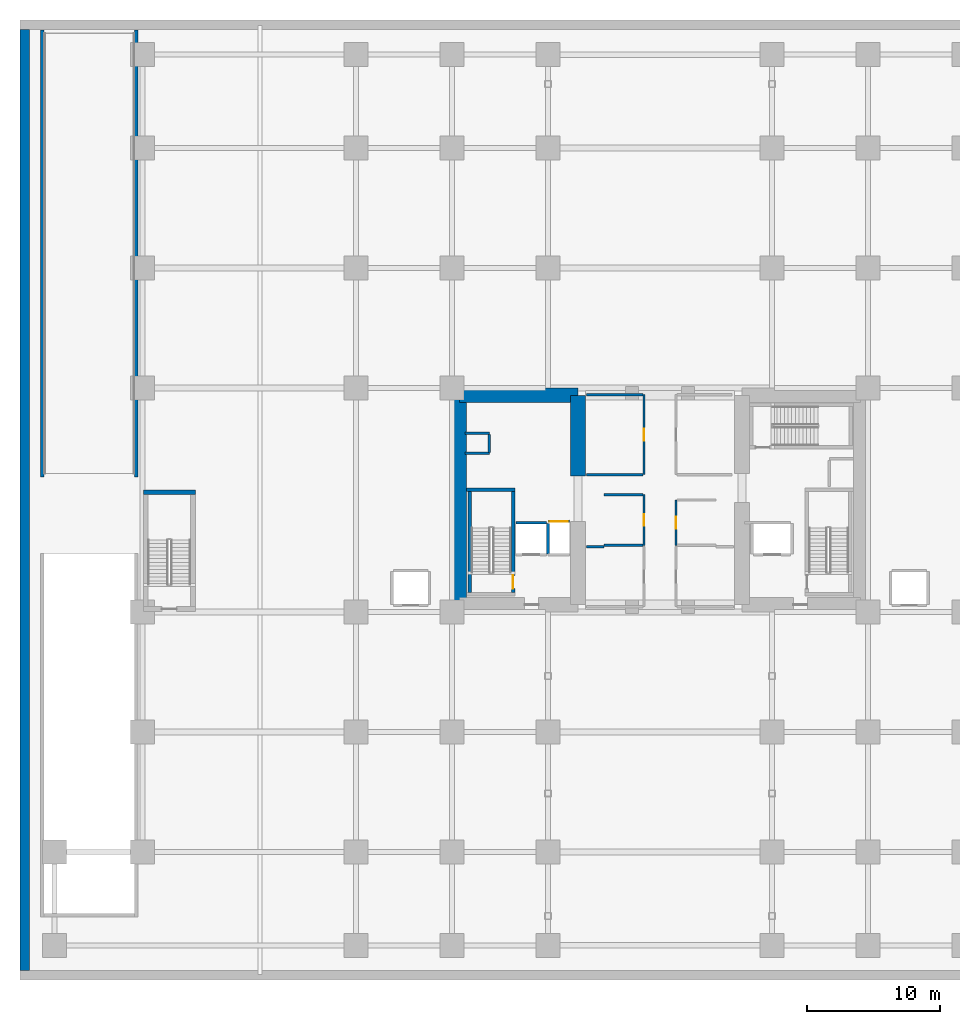
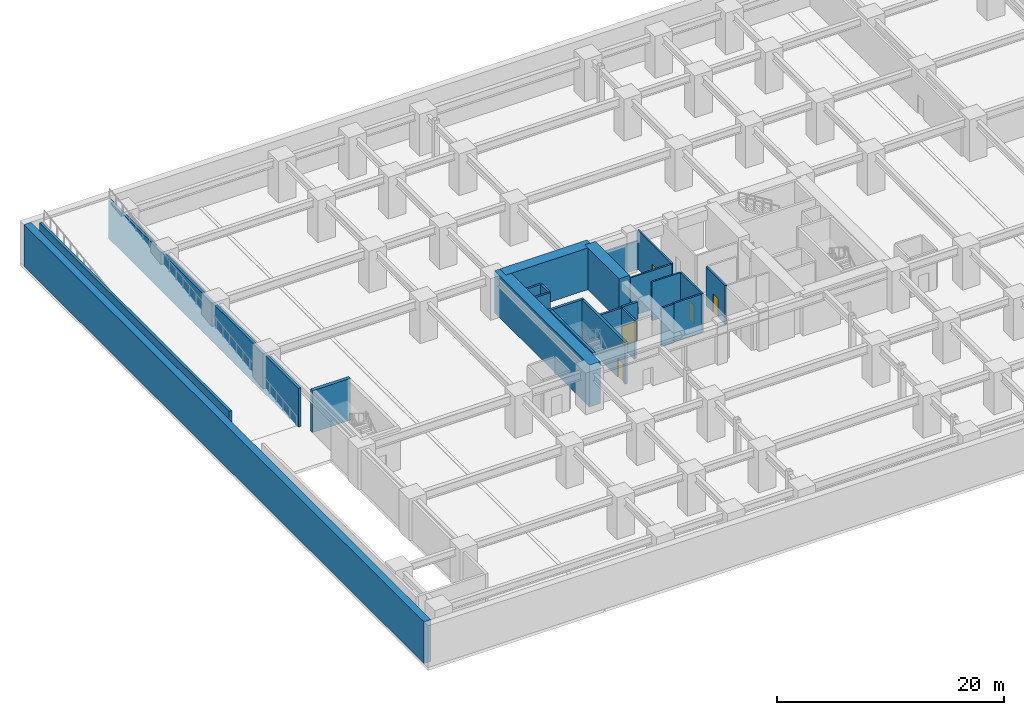
# One storey, part 10 of 20: 24 walls, 5 doors, 5 openings.
"""IFC4 building model written with IfcOpenShell, lengths in metres."""

from ifc_helpers import new_model, si_unit, direction, frame, frame_2d, origin, place, context, subcontext, project, spatial, rectangle, extrude, material, layer, layer_set, type_object, element, fill, save


model = new_model("IFC4")

# Units and contexts
model_context = context("Model", 3, precision=1e-05, world=origin(), true_north=direction((0.0, 1.0)))
body_context = subcontext(model_context, "Body", "Model", "MODEL_VIEW")
ifc_project = project(units=[si_unit("LENGTHUNIT", "METRE"), si_unit("AREAUNIT", "SQUARE_METRE"), si_unit("VOLUMEUNIT", "CUBIC_METRE"), si_unit("PLANEANGLEUNIT", "RADIAN"), si_unit("MASSUNIT", "GRAM", prefix="KILO")], contexts=[model_context])

# Site, building, storey
site_placement = place(None, origin())
site = spatial("IfcSite", under=ifc_project, at=site_placement, CompositionType="ELEMENT")
building_placement = place(site_placement, origin())
building = spatial("IfcBuilding", under=site, at=building_placement, Name="Kiyonajd Concourse Tower", CompositionType="ELEMENT")
storey_placement = place(building_placement, frame((0.0, 0.0, -4.5)))
storey = spatial("IfcBuildingStorey", under=building, at=storey_placement, Name="B1", CompositionType="ELEMENT", Elevation=-4.5)

# Walls
ifc_material_1 = material(Name="Concrete C80/95", Category="concrete")
ifc_layer_1 = layer(ifc_material_1, 1.10009765625)
ifc_layer_set_1 = layer_set([ifc_layer_1], Name="Concrete C80/95")
wall_type_1 = type_object("IfcWallType", Name="WL-CORE-1100", PredefinedType="SHEAR", material=ifc_layer_set_1)
wall_1_placement = place(storey_placement, frame((32.949951171875, 27.60009765625, 0.0), z_axis=(0.0, 0.0, 1.0), x_axis=(0.0, 1.0, 0.0)))
element("IfcWall", 1, at=wall_1_placement, inside=storey, type_object=wall_type_1, Name="B1 West Core Outer Shear Wall", PredefinedType="SHEAR", context=body_context, shape_type="SweptSolid", body=[
    extrude(rectangle(XDim=16.7998046875, YDim=1.10009765625, at=frame_2d((8.39990234375, 0.0))), origin(), (0.0, 0.0, 1.0), 4.5),
])
wall_2_placement = place(storey_placement, frame((41.85009765625, 37.800048828125, 0.0), z_axis=(0.0, 0.0, 1.0), x_axis=(0.0, 1.0, 0.0)))
element("IfcWall", 2, at=wall_2_placement, inside=storey, type_object=wall_type_1, Name="B1 West Core Inner North Shear Wall", PredefinedType="SHEAR", context=body_context, shape_type="SweptSolid", body=[
    extrude(rectangle(XDim=6.050048828125, YDim=1.10009765625, at=frame_2d((3.02490234375, 0.0))), origin(), (0.0, 0.0, 1.0), 4.5),
])
wall_3_placement = place(storey_placement, frame((32.949951171875, 43.85009765625, 0.0), z_axis=(0.0, 0.0, 1.0), x_axis=(1.0, 0.0, 0.0)))
element("IfcWall", 3, at=wall_3_placement, inside=storey, type_object=wall_type_1, Name="B1 West Core North Shear Wall", PredefinedType="SHEAR", context=body_context, shape_type="SweptSolid", body=[
    extrude(rectangle(XDim=8.900146484375, YDim=1.10009765625, at=frame_2d((4.4501953125, 0.0))), origin(), (0.0, 0.0, 1.0), 4.5),
])
ifc_material_2 = material(Name="Concrete C50/60", Category="concrete")
ifc_layer_2 = layer(ifc_material_2, 0.699951171875)
ifc_layer_set_2 = layer_set([ifc_layer_2], Name="Concrete C50/60")
wall_type_2 = type_object("IfcWallType", Name="WL-RET-700", PredefinedType="SOLIDWALL", material=ifc_layer_set_2)
wall_4_placement = place(storey_placement, frame((0.35009765625, 0.699951171875, 0.0), z_axis=(0.0, 0.0, 1.0), x_axis=(0.0, 1.0, 0.0)))
element("IfcWall", 4, at=wall_4_placement, inside=storey, type_object=wall_type_2, Name="B1 West Basement Retaining Wall", PredefinedType="SOLIDWALL", context=body_context, shape_type="SweptSolid", body=[
    extrude(rectangle(XDim=70.60009765625, YDim=0.699951171875, at=frame_2d((35.300048828125, 0.0))), origin(), (0.0, 0.0, 1.0), 4.5),
])
ifc_material_3 = material(Name="Gypsum Board on Cold-Formed Steel Stud", Category="steel")
ifc_layer_3 = layer(ifc_material_3, 0.2099609375)
ifc_layer_set_3 = layer_set([ifc_layer_3], Name="Gypsum Board on Cold-Formed Steel Stud")
wall_type_3 = type_object("IfcWallType", Name="WL-SHAFT-210", PredefinedType="PARTITIONING", material=ifc_layer_set_3)
for number, where, z_axis, x_axis, name in (
    (5, (33.360107421875, 39.5, 0.0), (0.0, 0.0, 1.0), (1.0, 0.0, 0.0), "B1 Shaft Enclosure Wall"),
    (6, (33.360107421875, 41.0, 0.0), (0.0, 0.0, 1.0), (1.0, 0.0, 0.0), "B1 Shaft Enclosure Wall"),
):
    element("IfcWall", number, at=place(storey_placement, frame(where, z_axis=z_axis, x_axis=x_axis)), inside=storey, type_object=wall_type_3, Name=name, PredefinedType="PARTITIONING", context=body_context, shape_type="SweptSolid", body=[
        extrude(rectangle(XDim=1.85986328125, YDim=0.2099609375, at=frame_2d((0.929931640625, 0.0))), origin(), (0.0, 0.0, 1.0), 4.179931640625),
    ])
wall_5_placement = place(storey_placement, frame((35.199951171875, 39.580078125, 0.0), z_axis=(0.0, 0.0, 1.0), x_axis=(0.0, 1.0, 0.0)))
element("IfcWall", 7, at=wall_5_placement, inside=storey, type_object=wall_type_3, Name="B1 Shaft Enclosure Wall", PredefinedType="PARTITIONING", context=body_context, shape_type="SweptSolid", body=[
    extrude(rectangle(XDim=1.33984375, YDim=0.2099609375, at=frame_2d((0.669921875, 0.0))), origin(), (0.0, 0.0, 1.0), 4.179931640625),
])
wall_6_placement = place(storey_placement, frame((37.199951171875, 34.300048828125, 0.0), z_axis=(0.0, 0.0, 1.0), x_axis=(1.0, 0.0, 0.0)))
element("IfcWall", 8, at=wall_6_placement, inside=storey, type_object=wall_type_3, Name="B1 Shaft Enclosure Wall", PredefinedType="PARTITIONING", context=body_context, shape_type="SweptSolid", body=[
    extrude(rectangle(XDim=2.300048828125, YDim=0.2099609375, at=frame_2d((1.14990234375, 0.0))), origin(), (0.0, 0.0, 1.0), 4.179931640625),
])
wall_7_placement = place(storey_placement, frame((39.60009765625, 31.9599609375, 0.0), z_axis=(0.0, 0.0, 1.0), x_axis=(0.0, 1.0, 0.0)))
element("IfcWall", 9, at=wall_7_placement, inside=storey, type_object=wall_type_3, Name="B1 Shaft Enclosure Wall", PredefinedType="PARTITIONING", context=body_context, shape_type="SweptSolid", body=[
    extrude(rectangle(XDim=2.280029296875, YDim=0.2099609375, at=frame_2d((1.14013671875, 0.0))), origin(), (0.0, 0.0, 1.0), 4.179931640625),
])

# Wall, opening, door
wall_8_placement = place(storey_placement, frame((39.60009765625, 34.39990234375, 0.0), z_axis=(0.0, 0.0, 1.0), x_axis=(1.0, 0.0, 0.0)))
wall_8 = element("IfcWall", 10, at=wall_8_placement, inside=storey, type_object=wall_type_3, Name="B1 Shaft Enclosure Wall", PredefinedType="PARTITIONING", context=body_context, shape_type="SweptSolid", body=[
    extrude(rectangle(XDim=1.599853515625, YDim=0.2099609375, at=frame_2d((0.7998046875, 0.0))), origin(), (0.0, 0.0, 1.0), 4.179931640625),
])
opening_1_placement = place(wall_8_placement, frame((0.10009765625, 0.0, 0.0)))
opening_1 = element("IfcOpeningElement", 11, at=opening_1_placement, cuts=wall_8, Name="Opening LD3", PredefinedType="OPENING", context=body_context, shape_type="SweptSolid", body=[
    extrude(rectangle(XDim=1.39990234375, YDim=2.06005859375, at=frame_2d((0.699951171875, 1.030029296875))), frame((0.0, 0.114990234375, 0.0), z_axis=(0.0, -1.0, 0.0), x_axis=(1.0, 0.0, 0.0)), (0.0, 0.0, 1.0), 0.22998046875),
])
ifc_material_4 = material(Name="Brushed Stainless Steel Cab Assembly", Category="steel")
door_type_1 = type_object("IfcDoorType", Name="DR-LD-1400", OperationType="DOUBLE_DOOR_SLIDING", PredefinedType="DOOR", material=ifc_material_4)
door_1_placement = place(opening_1_placement, origin())
door_1 = element("IfcDoor", 12, at=door_1_placement, inside=storey, type_object=door_type_1, Name="B1 Lift SVL1 Sliding Landing Door", OperationType="DOUBLE_DOOR_SLIDING", OverallHeight=2.06005859375, OverallWidth=1.39990234375, PredefinedType="DOOR", context=body_context, shape_type="SweptSolid", body=[
    extrude(rectangle(XDim=1.39990234375, YDim=2.06005859375, at=frame_2d((0.699951171875, 1.030029296875))), frame((0.0, 0.02490234375, 0.0), z_axis=(0.0, -1.0, 0.0), x_axis=(1.0, 0.0, 0.0)), (0.0, 0.0, 1.0), 0.050048828125),
])
fill(opening_1, door_1)

ifc_layer_4 = layer(ifc_material_3, 0.169921875)
ifc_layer_set_4 = layer_set([ifc_layer_4], Name="Gypsum Board on Cold-Formed Steel Stud")
wall_type_4 = type_object("IfcWallType", Name="WL-SMK-170", PredefinedType="PARTITIONING", material=ifc_layer_set_4)
wall_9_placement = place(storey_placement, frame((46.800048828125, 32.60009765625, 0.0), z_axis=(0.0, 0.0, 1.0), x_axis=(0.0, 1.0, 0.0)))
wall_9 = element("IfcWall", 13, at=wall_9_placement, inside=storey, type_object=wall_type_4, Name="B1 Interior Partition Wall", PredefinedType="PARTITIONING", context=body_context, shape_type="SweptSolid", body=[
    extrude(rectangle(XDim=3.7998046875, YDim=0.169921875, at=frame_2d((1.89990234375, 0.0))), origin(), (0.0, 0.0, 1.0), 4.179931640625),
])
opening_2_placement = place(wall_9_placement, frame((1.449951171875, 0.0, 0.0)))
opening_2 = element("IfcOpeningElement", 14, at=opening_2_placement, cuts=wall_9, Name="Opening DI2", PredefinedType="OPENING", context=body_context, shape_type="SweptSolid", body=[
    extrude(rectangle(XDim=0.89990234375, YDim=2.02001953125, at=frame_2d((0.449951171875, 1.010009765625))), frame((0.0, 0.094970703125, 0.0), z_axis=(0.0, -1.0, 0.0), x_axis=(1.0, 0.0, 0.0)), (0.0, 0.0, 1.0), 0.18994140625),
])
ifc_material_5 = material(Name="Natural Oak Acoustic Timber Veneer", Category="wood")
door_type_2 = type_object("IfcDoorType", Name="DR-INT-900", OperationType="NOTDEFINED", PredefinedType="DOOR", material=ifc_material_5)
door_2_placement = place(opening_2_placement, origin())
door_2 = element("IfcDoor", 15, at=door_2_placement, inside=storey, type_object=door_type_2, Name="B1 Interior Door", OperationType="SINGLE_SWING_LEFT", OverallHeight=2.02001953125, OverallWidth=0.89990234375, PredefinedType="DOOR", context=body_context, shape_type="SweptSolid", body=[
    extrude(rectangle(XDim=0.89990234375, YDim=2.02001953125, at=frame_2d((0.449951171875, 1.010009765625))), frame((0.0, 0.02490234375, 0.0), z_axis=(0.0, -1.0, 0.0), x_axis=(1.0, 0.0, 0.0)), (0.0, 0.0, 1.0), 0.050048828125),
])
fill(opening_2, door_2)

# Walls
for number, where, z_axis, x_axis, name in (
    (16, (43.800048828125, 32.60009765625, 0.0), (0.0, 0.0, 1.0), (1.0, 0.0, 0.0), "B1 Interior Partition Wall"),
    (17, (43.800048828125, 36.39990234375, 0.0), (0.0, 0.0, 1.0), (1.0, 0.0, 0.0), "B1 Interior Partition Wall"),
):
    element("IfcWall", number, at=place(storey_placement, frame(where, z_axis=z_axis, x_axis=x_axis)), inside=storey, type_object=wall_type_4, Name=name, PredefinedType="PARTITIONING", context=body_context, shape_type="SweptSolid", body=[
        extrude(rectangle(XDim=2.912841796875, YDim=0.169921875, at=frame_2d((1.45654296875, 0.0))), origin(), (0.0, 0.0, 1.0), 4.179931640625),
    ])

# Wall, opening, door
wall_10_placement = place(storey_placement, frame((49.199951171875, 32.60009765625, 0.0), z_axis=(0.0, 0.0, 1.0), x_axis=(0.0, 1.0, 0.0)))
wall_10 = element("IfcWall", 18, at=wall_10_placement, inside=storey, type_object=wall_type_4, Name="B1 Interior Partition Wall", PredefinedType="PARTITIONING", context=body_context, shape_type="SweptSolid", body=[
    extrude(rectangle(XDim=3.39990234375, YDim=0.169921875, at=frame_2d((1.699951171875, 0.0))), origin(), (0.0, 0.0, 1.0), 4.179931640625),
])
opening_3_placement = place(wall_10_placement, frame((1.25, 0.0, 0.0)))
opening_3 = element("IfcOpeningElement", 19, at=opening_3_placement, cuts=wall_10, Name="Opening DI2", PredefinedType="OPENING", context=body_context, shape_type="SweptSolid", body=[
    extrude(rectangle(XDim=0.89990234375, YDim=2.02001953125, at=frame_2d((0.449951171875, 1.010009765625))), frame((0.0, 0.094970703125, 0.0), z_axis=(0.0, -1.0, 0.0), x_axis=(1.0, 0.0, 0.0)), (0.0, 0.0, 1.0), 0.18994140625),
])
door_3_placement = place(opening_3_placement, origin())
door_3 = element("IfcDoor", 20, at=door_3_placement, inside=storey, type_object=door_type_2, Name="B1 Interior Door", OperationType="SINGLE_SWING_RIGHT", OverallHeight=2.02001953125, OverallWidth=0.89990234375, PredefinedType="DOOR", context=body_context, shape_type="SweptSolid", body=[
    extrude(rectangle(XDim=0.89990234375, YDim=2.02001953125, at=frame_2d((0.449951171875, 1.010009765625))), frame((0.0, 0.02490234375, 0.0), z_axis=(0.0, -1.0, 0.0), x_axis=(1.0, 0.0, 0.0)), (0.0, 0.0, 1.0), 0.050048828125),
])
fill(opening_3, door_3)

# Wall
wall_11_placement = place(storey_placement, frame((42.5, 32.5, 0.0), z_axis=(0.0, 0.0, 1.0), x_axis=(1.0, 0.0, 0.0)))
element("IfcWall", 21, at=wall_11_placement, inside=storey, type_object=wall_type_4, Name="B1 Interior Partition Wall", PredefinedType="PARTITIONING", context=body_context, shape_type="SweptSolid", body=[
    extrude(rectangle(XDim=1.300048828125, YDim=0.169921875, at=frame_2d((0.64990234375, 0.0))), origin(), (0.0, 0.0, 1.0), 4.179931640625),
])

# Wall, opening, door
wall_12_placement = place(storey_placement, frame((46.800048828125, 37.89990234375, 0.0), z_axis=(0.0, 0.0, 1.0), x_axis=(0.0, 1.0, 0.0)))
wall_12 = element("IfcWall", 22, at=wall_12_placement, inside=storey, type_object=wall_type_4, Name="B1 Interior Partition Wall", PredefinedType="PARTITIONING", context=body_context, shape_type="SweptSolid", body=[
    extrude(rectangle(XDim=6.0, YDim=0.169921875, at=frame_2d((3.0, 0.0))), origin(), (0.0, 0.0, 1.0), 4.179931640625),
])
opening_4_placement = place(wall_12_placement, frame((2.550048828125, 0.0, 0.0)))
opening_4 = element("IfcOpeningElement", 23, at=opening_4_placement, cuts=wall_12, Name="Opening DI2", PredefinedType="OPENING", context=body_context, shape_type="SweptSolid", body=[
    extrude(rectangle(XDim=0.89990234375, YDim=2.02001953125, at=frame_2d((0.449951171875, 1.010009765625))), frame((0.0, 0.094970703125, 0.0), z_axis=(0.0, -1.0, 0.0), x_axis=(1.0, 0.0, 0.0)), (0.0, 0.0, 1.0), 0.18994140625),
])
door_4_placement = place(opening_4_placement, origin())
door_4 = element("IfcDoor", 24, at=door_4_placement, inside=storey, type_object=door_type_2, Name="B1 Interior Door", OperationType="SINGLE_SWING_LEFT", OverallHeight=2.02001953125, OverallWidth=0.89990234375, PredefinedType="DOOR", context=body_context, shape_type="SweptSolid", body=[
    extrude(rectangle(XDim=0.89990234375, YDim=2.02001953125, at=frame_2d((0.449951171875, 1.010009765625))), frame((0.0, 0.02490234375, 0.0), z_axis=(0.0, -1.0, 0.0), x_axis=(1.0, 0.0, 0.0)), (0.0, 0.0, 1.0), 0.050048828125),
])
fill(opening_4, door_4)

# Walls
wall_13_placement = place(storey_placement, frame((42.5, 37.89990234375, 0.0), z_axis=(0.0, 0.0, 1.0), x_axis=(1.0, 0.0, 0.0)))
element("IfcWall", 25, at=wall_13_placement, inside=storey, type_object=wall_type_4, Name="B1 Interior Partition Wall", PredefinedType="PARTITIONING", context=body_context, shape_type="SweptSolid", body=[
    extrude(rectangle(XDim=4.212890625, YDim=0.169921875, at=frame_2d((2.1064453125, 0.0))), origin(), (0.0, 0.0, 1.0), 4.179931640625),
])
wall_14_placement = place(storey_placement, frame((42.5, 43.89990234375, 0.0), z_axis=(0.0, 0.0, 1.0), x_axis=(1.0, 0.0, 0.0)))
element("IfcWall", 26, at=wall_14_placement, inside=storey, type_object=wall_type_4, Name="B1 Interior Partition Wall", PredefinedType="PARTITIONING", context=body_context, shape_type="SweptSolid", body=[
    extrude(rectangle(XDim=4.212890625, YDim=0.169921875, at=frame_2d((2.1064453125, 0.0))), origin(), (0.0, 0.0, 1.0), 3.06494140625),
])
ifc_layer_5 = layer(ifc_material_2, 0.260009765625)
ifc_layer_set_5 = layer_set([ifc_layer_5], Name="Concrete C50/60")
wall_type_5 = type_object("IfcWallType", Name="WL-STAIR-260", PredefinedType="SHEAR", material=ifc_layer_set_5)
for number, where, z_axis, x_axis, name in (
    (27, (1.669921875, 37.739990234375, 0.0), (0.0, 0.0, 1.0), (0.0, 1.0, 0.0), "B1 Grade Ramp West Structural Wall"),
    (28, (8.72998046875, 37.739990234375, 0.0), (0.0, 0.0, 1.0), (0.0, 1.0, 0.0), "B1 Grade Ramp East Structural Wall"),
):
    element("IfcWall", number, at=place(storey_placement, frame(where, z_axis=z_axis, x_axis=x_axis)), inside=storey, type_object=wall_type_5, Name=name, PredefinedType="SHEAR", context=body_context, shape_type="SweptSolid", body=[
        extrude(rectangle(XDim=33.52001953125, YDim=0.260009765625, at=frame_2d((16.760009765625, 0.0))), origin(), (0.0, 0.0, 1.0), 4.179931640625),
    ])
wall_15_placement = place(storey_placement, frame((33.5, 36.780029296875, 0.0), z_axis=(0.0, 0.0, 1.0), x_axis=(1.0, 0.0, 0.0)))
element("IfcWall", 29, at=wall_15_placement, inside=storey, type_object=wall_type_5, Name="B1 Stair ST1 Structural North Wall", PredefinedType="SHEAR", context=body_context, shape_type="SweptSolid", body=[
    extrude(rectangle(XDim=3.610107421875, YDim=0.260009765625, at=frame_2d((1.80517578125, 0.0))), origin(), (0.0, 0.0, 1.0), 4.5),
])
wall_16_placement = place(storey_placement, frame((33.719970703125, 29.050048828125, 0.0), z_axis=(0.0, 0.0, 1.0), x_axis=(0.0, 1.0, 0.0)))
element("IfcWall", 30, at=wall_16_placement, inside=storey, type_object=wall_type_5, Name="B1 Stair ST1 Structural West Wall", PredefinedType="SHEAR", context=body_context, shape_type="SweptSolid", body=[
    extrude(rectangle(XDim=7.599853515625, YDim=0.260009765625, at=frame_2d((3.7998046875, 0.0))), origin(), (0.0, 0.0, 1.0), 4.5),
])

# Wall, opening, door
wall_17_placement = place(storey_placement, frame((36.97998046875, 29.050048828125, 0.0), z_axis=(0.0, 0.0, 1.0), x_axis=(0.0, 1.0, 0.0)))
wall_17 = element("IfcWall", 31, at=wall_17_placement, inside=storey, type_object=wall_type_5, Name="B1 Stair ST1 Structural East Wall", PredefinedType="SHEAR", context=body_context, shape_type="SweptSolid", body=[
    extrude(rectangle(XDim=7.599853515625, YDim=0.260009765625, at=frame_2d((3.7998046875, 0.0))), origin(), (0.0, 0.0, 1.0), 4.5),
])
opening_5_placement = place(wall_17_placement, frame((0.300048828125, 0.0, 0.0)))
opening_5 = element("IfcOpeningElement", 32, at=opening_5_placement, cuts=wall_17, Name="Opening DF1", PredefinedType="OPENING", context=body_context, shape_type="SweptSolid", body=[
    extrude(rectangle(XDim=1.0, YDim=2.0400390625, at=frame_2d((0.5, 1.02001953125))), frame((0.0, 0.139892578125, 0.0), z_axis=(0.0, -1.0, 0.0), x_axis=(1.0, 0.0, 0.0)), (0.0, 0.0, 1.0), 0.280029296875),
])
door_type_3 = type_object("IfcDoorType", Name="DR-FD90-1000", OperationType="NOTDEFINED", PredefinedType="DOOR", material=ifc_material_4)
door_5_placement = place(opening_5_placement, origin())
door_5 = element("IfcDoor", 33, at=door_5_placement, inside=storey, type_object=door_type_3, Name="B1 Stair ST1 FSAE Door", OperationType="SINGLE_SWING_LEFT", OverallHeight=2.0400390625, OverallWidth=1.0, PredefinedType="DOOR", context=body_context, shape_type="SweptSolid", body=[
    extrude(rectangle(XDim=1.0, YDim=2.0400390625, at=frame_2d((0.5, 1.02001953125))), frame((0.0, 0.02490234375, 0.0), z_axis=(0.0, -1.0, 0.0), x_axis=(1.0, 0.0, 0.0)), (0.0, 0.0, 1.0), 0.050048828125),
])
fill(opening_5, door_5)

# Wall
ifc_layer_6 = layer(ifc_material_2, 0.35009765625)
ifc_layer_set_6 = layer_set([ifc_layer_6], Name="Concrete C50/60")
wall_type_6 = type_object("IfcWallType", Name="WL-STAIR-350", PredefinedType="SHEAR", material=ifc_layer_set_6)
wall_18_placement = place(storey_placement, frame((9.25, 36.574951171875, 0.0), z_axis=(0.0, 0.0, 1.0), x_axis=(1.0, 0.0, 0.0)))
element("IfcWall", 34, at=wall_18_placement, inside=storey, type_object=wall_type_6, Name="B1 Stair ST4 Structural North Wall", PredefinedType="SHEAR", context=body_context, shape_type="SweptSolid", body=[
    extrude(rectangle(XDim=3.89990234375, YDim=0.35009765625, at=frame_2d((1.949951171875, 0.0))), origin(), (0.0, 0.0, 1.0), 4.5),
])

save(model, "model.ifc")
